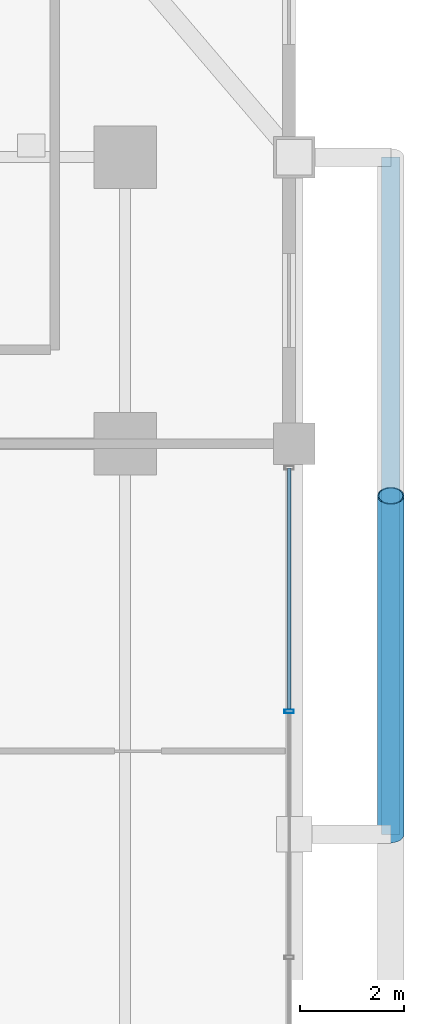
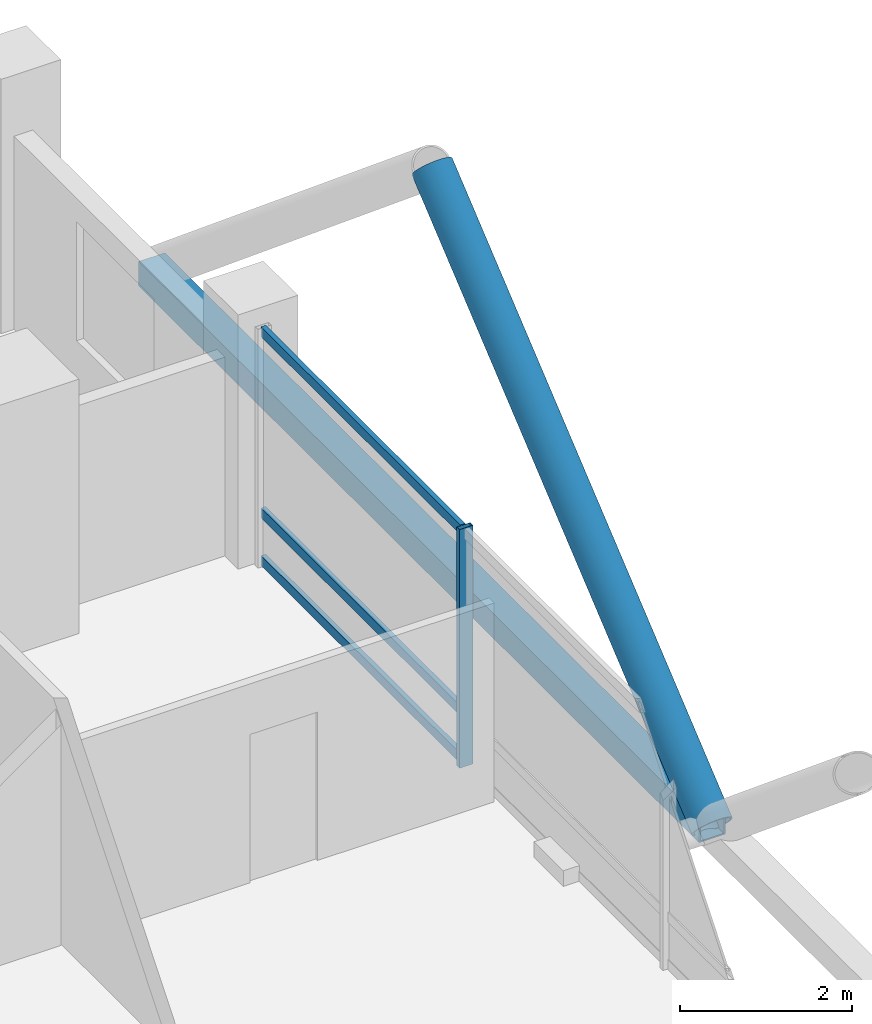
# One storey, part 11 of 24: 6 members, 1 element without a shape of its own.
"""IFC4 building model written with IfcOpenShell, lengths in metres."""

from ifc_helpers import new_model, si_unit, direction, frame, origin, origin_2d, place, context, subcontext, project, spatial, hollow_rectangle, hollow_circle, extrude, material, layer, layer_set, material_profile, profile_set, type_object, element, aggregate, save


model = new_model("IFC4")

# Units and contexts
model_context = context("Model", 3, precision=1e-05, world=origin(), true_north=direction((0.0, 1.0)))
body_context = subcontext(model_context, "Body", "Model", "MODEL_VIEW")
ifc_project = project(units=[si_unit("LENGTHUNIT", "METRE"), si_unit("AREAUNIT", "SQUARE_METRE"), si_unit("VOLUMEUNIT", "CUBIC_METRE"), si_unit("PLANEANGLEUNIT", "RADIAN"), si_unit("MASSUNIT", "GRAM", prefix="KILO")], contexts=[model_context])

# Site, building, storey
site_placement = place(None, origin())
site = spatial("IfcSite", under=ifc_project, at=site_placement, CompositionType="ELEMENT")
building_placement = place(site_placement, origin())
building = spatial("IfcBuilding", under=site, at=building_placement, Name="Barlavira Tower and Art Museum", CompositionType="ELEMENT")
storey_placement = place(building_placement, frame((0.0, 0.0, 109.800048828125)))
storey = spatial("IfcBuildingStorey", under=building, at=storey_placement, Name="L27", CompositionType="ELEMENT", Elevation=109.800048828125)

# Curtain wall, members
ifc_material_1 = material(Name="Low-iron coastal laminated glass", Category="glass")
ifc_layer = layer(ifc_material_1, 0.18994140625, Name="Low-iron coastal laminated glass")
ifc_layer_set = layer_set([ifc_layer], Name="Low-iron coastal laminated glass")
curtain_wall_type = type_object("IfcCurtainWallType", Name="Pale-Metal Unitised Curtain Wall Zone 2", PredefinedType="NOTDEFINED", material=ifc_layer_set)
curtain_wall_placement = place(storey_placement, origin())
curtain_wall = element("IfcCurtainWall", 1, at=curtain_wall_placement, inside=storey, type_object=curtain_wall_type, Name="L27 Curtain Wall CW2-L27-E-B3", PredefinedType="NOTDEFINED")
ifc_material_2 = material(Name="Pale anodised aluminium", Category="aluminium")
ifc_material_profile_1 = material_profile(ifc_material_2, hollow_rectangle(XDim=0.06494140625, YDim=0.179931640625, WallThickness=0.00390625, at=origin_2d()), Name="ALU-MULL 65x180x4")
ifc_profile_set_1 = profile_set([ifc_material_profile_1], Name="Pale anodised aluminium")
member_type_1 = type_object("IfcMemberType", Name="Curtain Wall Pale-Metal Mullion 65x180", PredefinedType="MULLION", material=ifc_profile_set_1)
member_1_placement = place(storey_placement, frame((20.14990234375, 2.360107421875, 0.0), z_axis=(0.0, 0.0, 1.0), x_axis=(0.0, 1.0, 0.0)))
member_1 = element("IfcMember", 2, at=member_1_placement, type_object=member_type_1, Name="CW2-L27-E-B3 Mullion 2", PredefinedType="MULLION", context=body_context, shape_type="SweptSolid", body=[
    extrude(hollow_rectangle(XDim=0.06494140625, YDim=0.179931640625, WallThickness=0.00390625, at=origin_2d()), origin(), (0.0, 0.0, 1.0), 3.3798828125),
])
ifc_material_profile_2 = material_profile(ifc_material_2, hollow_rectangle(XDim=0.06494140625, YDim=0.139892578125, WallThickness=0.00390625, at=origin_2d()), Name="ALU-TRAN 65x140x4")
ifc_profile_set_2 = profile_set([ifc_material_profile_2], Name="Pale anodised aluminium")
member_type_2 = type_object("IfcMemberType", Name="Curtain Wall Pale-Metal Transom 65x140", PredefinedType="USERDEFINED", material=ifc_profile_set_2)
member_2_placement = place(storey_placement, frame((20.14990234375, 2.405029296875, 0.070068359375), z_axis=(0.0, 1.0, 0.0), x_axis=(-1.0, 0.0, 0.0)))
member_2 = element("IfcMember", 3, at=member_2_placement, type_object=member_type_2, Name="CW2-L27-E-B3 Transom 2.1", ObjectType="TRANSOM", PredefinedType="USERDEFINED", context=body_context, shape_type="SweptSolid", body=[
    extrude(hollow_rectangle(XDim=0.06494140625, YDim=0.139892578125, WallThickness=0.00390625, at=origin_2d()), origin(), (0.0, 0.0, 1.0), 4.6298828125),
])
member_3_placement = place(storey_placement, frame((20.14990234375, 2.405029296875, 0.743896484375), z_axis=(0.0, 1.0, 0.0), x_axis=(-1.0, 0.0, 0.0)))
member_3 = element("IfcMember", 4, at=member_3_placement, type_object=member_type_2, Name="CW2-L27-E-B3 Transom 2.2", ObjectType="TRANSOM", PredefinedType="USERDEFINED", context=body_context, shape_type="SweptSolid", body=[
    extrude(hollow_rectangle(XDim=0.06494140625, YDim=0.139892578125, WallThickness=0.00390625, at=origin_2d()), origin(), (0.0, 0.0, 1.0), 4.6298828125),
])
member_4_placement = place(storey_placement, frame((20.14990234375, 2.405029296875, 3.31005859375), z_axis=(0.0, 1.0, 0.0), x_axis=(-1.0, 0.0, 0.0)))
member_4 = element("IfcMember", 5, at=member_4_placement, type_object=member_type_2, Name="CW2-L27-E-B3 Transom 2.3", ObjectType="TRANSOM", PredefinedType="USERDEFINED", context=body_context, shape_type="SweptSolid", body=[
    extrude(hollow_rectangle(XDim=0.06494140625, YDim=0.139892578125, WallThickness=0.00390625, at=origin_2d()), origin(), (0.0, 0.0, 1.0), 4.6298828125),
])
aggregate(curtain_wall, [member_1, member_2, member_3, member_4])

# Members
ifc_material_3 = material(Name="Steel S355", Category="steel")
ifc_material_profile_3 = material_profile(ifc_material_3, hollow_circle(Radius=0.25390625, WallThickness=0.022216796875, at=origin_2d()), Name="CHS 508.0x22.2")
ifc_profile_set_3 = profile_set([ifc_material_profile_3], Name="Steel S355")
member_type_3 = type_object("IfcMemberType", Name="Pale-Metal Exoskeleton Diagrid Tube CHS 508x22 Steel S355", PredefinedType="BRACE", material=ifc_profile_set_3)
member_5_placement = place(storey_placement, frame((22.10009765625, 0.0, -0.1201171875), z_axis=(0.0, 0.76918185268, 0.639029950399), x_axis=(-1.0, 0.0, 0.0)))
element("IfcMember", 6, at=member_5_placement, inside=storey, type_object=member_type_3, Name="L27 Exoskeleton Diagrid Tube E", PredefinedType="BRACE", context=body_context, shape_type="SweptSolid", body=[
    extrude(hollow_circle(Radius=0.25390625, WallThickness=0.022216796875, at=origin_2d()), origin(), (0.0, 0.0, 1.0), 8.450439453125),
])
ifc_material_profile_4 = material_profile(ifc_material_3, hollow_rectangle(XDim=0.35009765625, YDim=0.35009765625, WallThickness=0.02001953125, at=origin_2d()), Name="SHS 350x350x20.0")
ifc_profile_set_4 = profile_set([ifc_material_profile_4], Name="Steel S355")
member_type_4 = type_object("IfcMemberType", Name="Pale-Metal Exoskeleton Ring Strut SHS 350x350x20 Steel S355", PredefinedType="STRUT", material=ifc_profile_set_4)
member_6_placement = place(storey_placement, frame((22.10009765625, 0.0, -0.1201171875), z_axis=(0.0, 1.0, 0.0), x_axis=(-1.0, 0.0, 0.0)))
element("IfcMember", 7, at=member_6_placement, inside=storey, type_object=member_type_4, Name="L27 Exoskeleton Ring Strut E", PredefinedType="STRUT", context=body_context, shape_type="SweptSolid", body=[
    extrude(hollow_rectangle(XDim=0.35009765625, YDim=0.35009765625, WallThickness=0.02001953125, at=origin_2d()), origin(), (0.0, 0.0, 1.0), 13.0),
])

save(model, "model.ifc")
